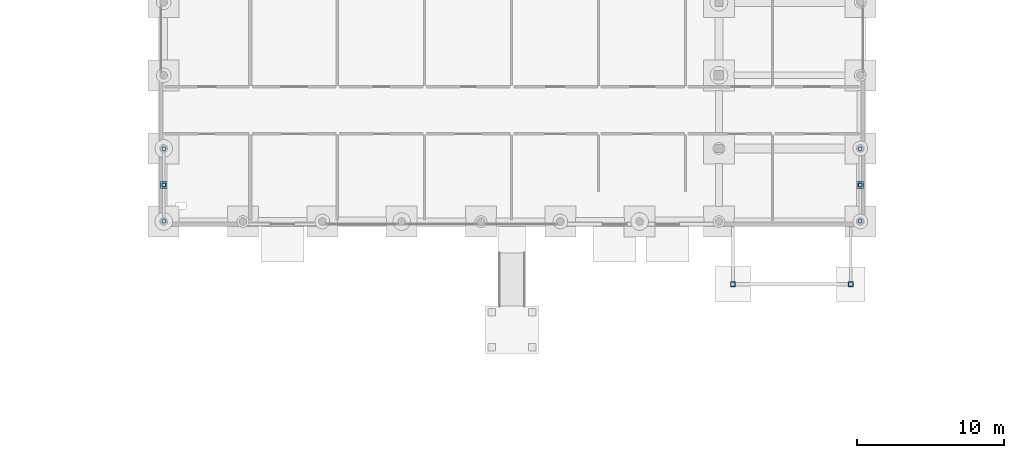
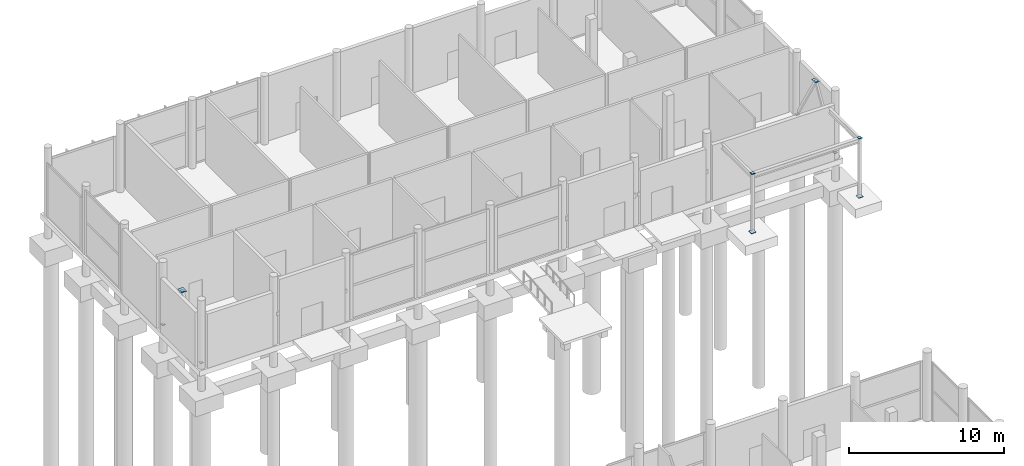
# One storey, part 54 of 88: 14 plates.
"""IFC4 building model written with IfcOpenShell, lengths in metres."""

from ifc_helpers import new_model, si_unit, direction, frame, origin, origin_2d, place, context, subcontext, project, spatial, rectangle, extrude, material, layer, layer_set, type_object, element, save


model = new_model("IFC4")

# Units and contexts
model_context = context("Model", 3, precision=1e-05, world=origin(), true_north=direction((0.0, 1.0)))
body_context = subcontext(model_context, "Body", "Model", "MODEL_VIEW")
ifc_project = project(units=[si_unit("LENGTHUNIT", "METRE"), si_unit("AREAUNIT", "SQUARE_METRE"), si_unit("VOLUMEUNIT", "CUBIC_METRE"), si_unit("PLANEANGLEUNIT", "RADIAN"), si_unit("MASSUNIT", "GRAM", prefix="KILO")], contexts=[model_context])

# Site, building, storey
site_placement = place(None, origin())
site = spatial("IfcSite", under=ifc_project, at=site_placement, CompositionType="ELEMENT")
building_placement = place(site_placement, origin())
building = spatial("IfcBuilding", under=site, at=building_placement, Name="Birchvale Park Specialist Clinic", CompositionType="ELEMENT")
storey_placement = place(building_placement, origin())
storey = spatial("IfcBuildingStorey", under=building, at=storey_placement, Name="L00", CompositionType="ELEMENT", Elevation=0.0)

# Plates
ifc_material = material(Name="Steel ASTM A572 Grade 50", Category="steel")
ifc_layer_1 = layer(ifc_material, 0.028076171875)
ifc_layer_set_1 = layer_set([ifc_layer_1], Name="Steel ASTM A572 Grade 50")
plate_type_1 = type_object("IfcPlateType", Name="PLT-BP2", PredefinedType="USERDEFINED", material=ifc_layer_set_1)
for number, where, z_axis, x_axis, name in (
    (1, (90.800048828125, 87.300048828125, -0.2998046875), (0.0, 0.0, 1.0), (1.0, 0.0, 0.0), "L00 canopy base plate 3"),
    (2, (98.800048828125, 87.300048828125, -0.2998046875), (0.0, 0.0, 1.0), (1.0, 0.0, 0.0), "L00 canopy base plate 4"),
):
    element("IfcPlate", number, at=place(storey_placement, frame(where, z_axis=z_axis, x_axis=x_axis)), inside=storey, type_object=plate_type_1, Name=name, ObjectType="BASE_PLATE", PredefinedType="USERDEFINED", context=body_context, shape_type="SweptSolid", body=[
        extrude(rectangle(XDim=0.360107421875, YDim=0.360107421875, at=origin_2d()), origin(), (0.0, 0.0, 1.0), 0.028076171875),
    ])
ifc_layer_2 = layer(ifc_material, 0.02197265625)
ifc_layer_set_2 = layer_set([ifc_layer_2], Name="Steel ASTM A572 Grade 50")
plate_type_2 = type_object("IfcPlateType", Name="PLT-EC5", PredefinedType="USERDEFINED", material=ifc_layer_set_2)
for number, where, z_axis, x_axis, name in (
    (3, (90.800048828125, 87.300048828125, 4.328125), (0.0, 0.0, 1.0), (1.0, 0.0, 0.0), "L00 canopy column cap plate 3"),
    (4, (98.800048828125, 87.300048828125, 4.328125), (0.0, 0.0, 1.0), (1.0, 0.0, 0.0), "L00 canopy column cap plate 4"),
):
    element("IfcPlate", number, at=place(storey_placement, frame(where, z_axis=z_axis, x_axis=x_axis)), inside=storey, type_object=plate_type_2, Name=name, ObjectType="BASE_PLATE", PredefinedType="USERDEFINED", context=body_context, shape_type="SweptSolid", body=[
        extrude(rectangle(XDim=0.25, YDim=0.25, at=origin_2d()), origin(), (0.0, 0.0, 1.0), 0.02197265625),
    ])
ifc_layer_3 = layer(ifc_material, 0.02001953125)
ifc_layer_set_3 = layer_set([ifc_layer_3], Name="Steel ASTM A572 Grade 50")
plate_type_3 = type_object("IfcPlateType", Name="PLT-EC6", PredefinedType="USERDEFINED", material=ifc_layer_set_3)
for number, where, z_axis, x_axis, name in (
    (5, (52.14990234375, 91.560302734375, 0.357177734375), (0.0, 0.0, 1.0), (1.0, 0.0, 0.0), "V3 L00 brace sealed cap plate 5.1.1"),
    (6, (52.14990234375, 94.02099609375, 4.5126953125), (0.0, 0.0, 1.0), (1.0, 0.0, 0.0), "V3 L00 brace sealed cap plate 5.1.2"),
    (7, (52.14990234375, 96.502197265625, 0.357177734375), (0.0, 0.0, 1.0), (1.0, 0.0, 0.0), "V3 L00 brace sealed cap plate 5.2.1"),
    (8, (52.14990234375, 94.04150390625, 4.5126953125), (0.0, 0.0, 1.0), (1.0, 0.0, 0.0), "V3 L00 brace sealed cap plate 5.2.2"),
    (9, (99.449951171875, 91.560302734375, 0.357177734375), (0.0, 0.0, 1.0), (1.0, 0.0, 0.0), "V3 L00 brace sealed cap plate 6.1.1"),
    (10, (99.449951171875, 94.02099609375, 4.5126953125), (0.0, 0.0, 1.0), (1.0, 0.0, 0.0), "V3 L00 brace sealed cap plate 6.1.2"),
    (11, (99.449951171875, 96.502197265625, 0.357177734375), (0.0, 0.0, 1.0), (1.0, 0.0, 0.0), "V3 L00 brace sealed cap plate 6.2.1"),
    (12, (99.449951171875, 94.04150390625, 4.5126953125), (0.0, 0.0, 1.0), (1.0, 0.0, 0.0), "V3 L00 brace sealed cap plate 6.2.2"),
):
    element("IfcPlate", number, at=place(storey_placement, frame(where, z_axis=z_axis, x_axis=x_axis)), inside=storey, type_object=plate_type_3, Name=name, ObjectType="BASE_PLATE", PredefinedType="USERDEFINED", context=body_context, shape_type="SweptSolid", body=[
        extrude(rectangle(XDim=0.239990234375, YDim=0.239990234375, at=origin_2d()), origin(), (0.0, 0.0, 1.0), 0.02001953125),
    ])
ifc_layer_4 = layer(ifc_material, 0.02392578125)
ifc_layer_set_4 = layer_set([ifc_layer_4], Name="Steel ASTM A572 Grade 50")
plate_type_4 = type_object("IfcPlateType", Name="PLT-KN1", PredefinedType="USERDEFINED", material=ifc_layer_set_4)
for number, where, z_axis, x_axis, name in (
    (13, (52.14990234375, 94.03125, 4.5400390625), (0.0, 0.0, 1.0), (1.0, 0.0, 0.0), "V3 L00 braced-frame apex gusset plate KN1-5"),
    (14, (99.449951171875, 94.03125, 4.5400390625), (0.0, 0.0, 1.0), (1.0, 0.0, 0.0), "V3 L00 braced-frame apex gusset plate KN1-6"),
):
    element("IfcPlate", number, at=place(storey_placement, frame(where, z_axis=z_axis, x_axis=x_axis)), inside=storey, type_object=plate_type_4, Name=name, ObjectType="GUSSET_PLATE", PredefinedType="USERDEFINED", context=body_context, shape_type="SweptSolid", body=[
        extrude(rectangle(XDim=0.419921875, YDim=0.47998046875, at=origin_2d()), origin(), (0.0, 0.0, 1.0), 0.02392578125),
    ])

save(model, "model.ifc")
